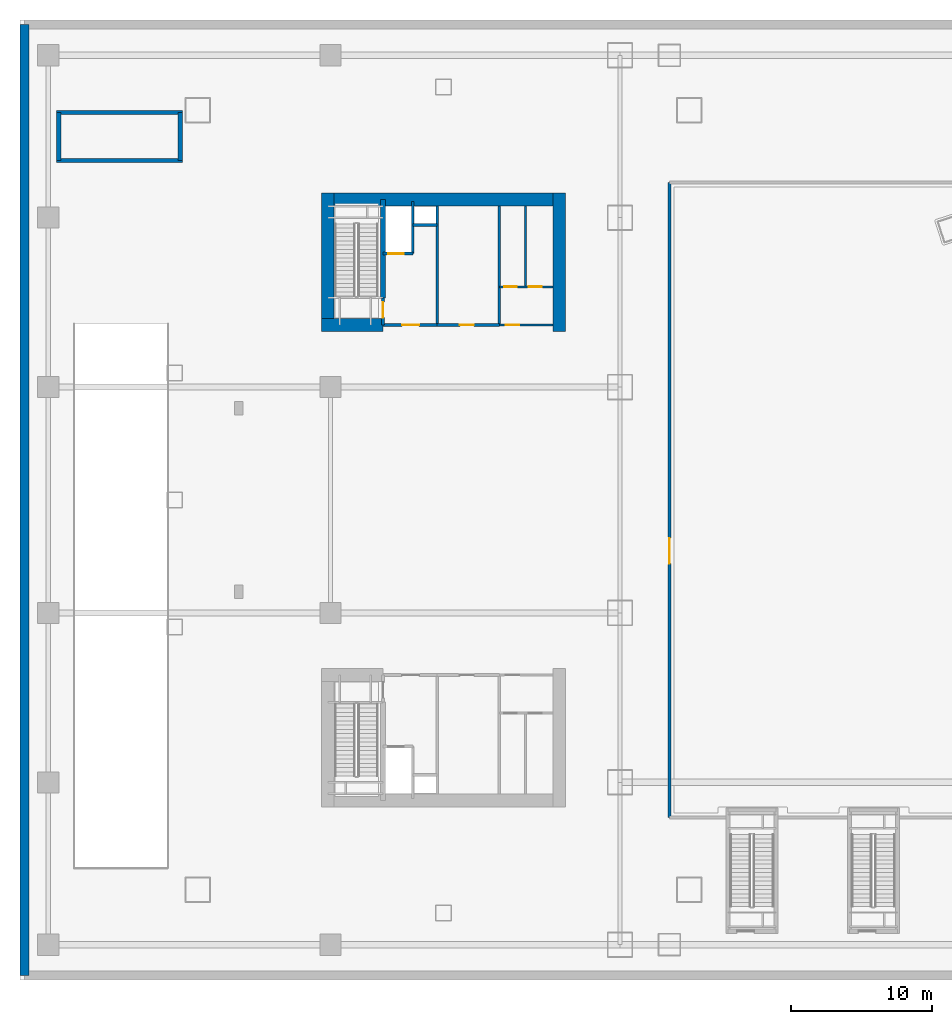
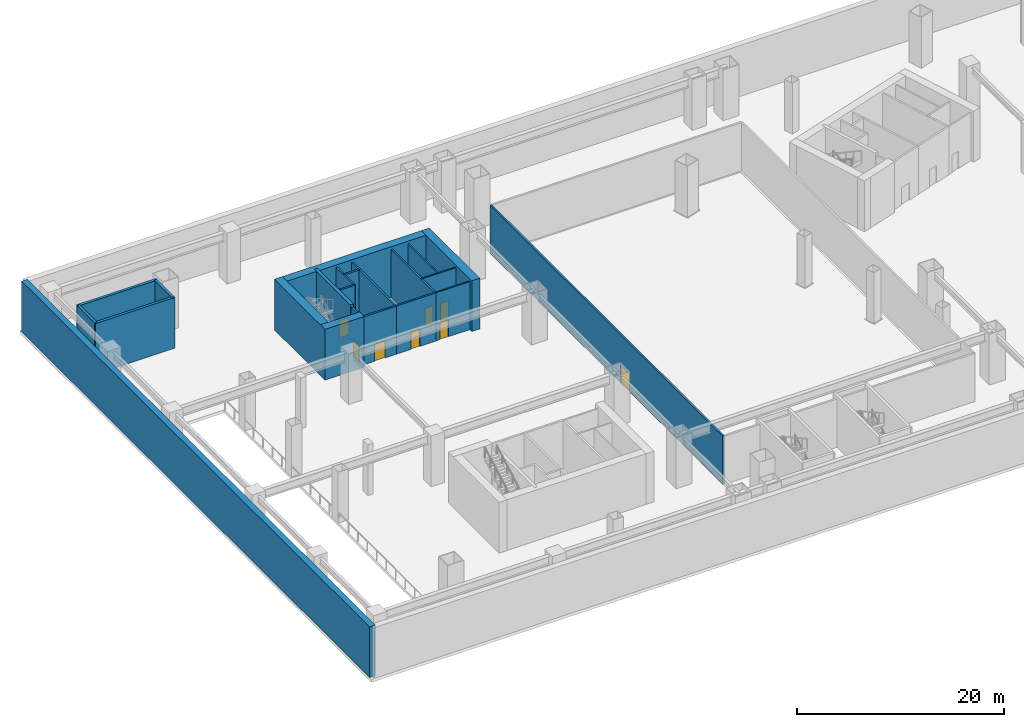
# One storey, part 8 of 20: 22 walls, 8 doors, 8 openings.
"""IFC4 building model written with IfcOpenShell, lengths in metres."""

from ifc_helpers import new_model, si_unit, direction, frame, frame_2d, origin, place, context, subcontext, project, spatial, rectangle, extrude, material, layer, layer_set, type_object, element, fill, save


model = new_model("IFC4")

# Units and contexts
model_context = context("Model", 3, precision=1e-05, world=origin(), true_north=direction((0.0, 1.0)))
body_context = subcontext(model_context, "Body", "Model", "MODEL_VIEW")
ifc_project = project(units=[si_unit("LENGTHUNIT", "METRE"), si_unit("AREAUNIT", "SQUARE_METRE"), si_unit("VOLUMEUNIT", "CUBIC_METRE"), si_unit("PLANEANGLEUNIT", "RADIAN"), si_unit("MASSUNIT", "GRAM", prefix="KILO")], contexts=[model_context])

# Site, building, storey
site_placement = place(None, origin())
site = spatial("IfcSite", under=ifc_project, at=site_placement, CompositionType="ELEMENT")
building_placement = place(site_placement, origin())
building = spatial("IfcBuilding", under=site, at=building_placement, Name="Qiaolan Cultural Towers", CompositionType="ELEMENT")
storey_placement = place(building_placement, frame((0.0, 0.0, -6.0)))
storey = spatial("IfcBuildingStorey", under=building, at=storey_placement, Name="B1", CompositionType="ELEMENT", Elevation=-6.0)

# Walls
ifc_material_1 = material(Name="Concrete C50", Category="concrete")
ifc_layer_1 = layer(ifc_material_1, 0.35009765625)
ifc_layer_set_1 = layer_set([ifc_layer_1], Name="Concrete C50")
wall_type_1 = type_object("IfcWallType", Name="WL-CORE-350", PredefinedType="SHEAR", material=ifc_layer_set_1)
wall_1_placement = place(storey_placement, frame((25.719970703125, 48.300048828125, 0.0), z_axis=(0.0, 0.0, 1.0), x_axis=(0.0, 1.0, 0.0)))
element("IfcWall", 1, at=wall_1_placement, inside=storey, type_object=wall_type_1, Name="B1 T1-CN Stair Core Dividing Web", PredefinedType="SHEAR", context=body_context, shape_type="SweptSolid", body=[
    extrude(rectangle(XDim=6.97998046875, YDim=0.35009765625, at=frame_2d((3.489990234375, 0.0))), origin(), (0.0, 0.0, 1.0), 6.0),
])
for number, where, z_axis, x_axis, name in (
    (2, (2.60009765625, 58.050048828125, 0.0), (0.0, 0.0, 1.0), (1.0, 0.0, 0.0), "B1 STP1 Stair Shaft Wall S"),
    (3, (2.60009765625, 61.449951171875, 0.0), (0.0, 0.0, 1.0), (1.0, 0.0, 0.0), "B1 STP1 Stair Shaft Wall N"),
):
    element("IfcWall", number, at=place(storey_placement, frame(where, z_axis=z_axis, x_axis=x_axis)), inside=storey, type_object=wall_type_1, Name=name, PredefinedType="SHEAR", context=body_context, shape_type="SweptSolid", body=[
        extrude(rectangle(XDim=8.89990234375, YDim=0.300048828125, at=frame_2d((4.449951171875, 0.0))), origin(), (0.0, 0.0, 1.0), 6.0),
    ])
for number, where, z_axis, x_axis, name in (
    (4, (11.35009765625, 58.050048828125, 0.0), (0.0, 0.0, 1.0), (0.0, 1.0, 0.0), "B1 STP1 Stair Shaft Wall E"),
    (5, (2.75, 58.050048828125, 0.0), (0.0, 0.0, 1.0), (0.0, 1.0, 0.0), "B1 STP1 Stair Shaft Wall W"),
):
    element("IfcWall", number, at=place(storey_placement, frame(where, z_axis=z_axis, x_axis=x_axis)), inside=storey, type_object=wall_type_1, Name=name, PredefinedType="SHEAR", context=body_context, shape_type="SweptSolid", body=[
        extrude(rectangle(XDim=3.39990234375, YDim=0.300048828125, at=frame_2d((1.699951171875, 0.0))), origin(), (0.0, 0.0, 1.0), 6.0),
    ])
ifc_material_2 = material(Name="Concrete C60", Category="concrete")
ifc_layer_2 = layer(ifc_material_2, 0.89990234375)
ifc_layer_set_2 = layer_set([ifc_layer_2], Name="Concrete C60")
wall_type_2 = type_object("IfcWallType", Name="WL-CORE-900", PredefinedType="SHEAR", material=ifc_layer_set_2)
wall_2_placement = place(storey_placement, frame((21.35009765625, 55.280029296875, 0.0), z_axis=(0.0, 0.0, 1.0), x_axis=(1.0, 0.0, 0.0)))
element("IfcWall", 6, at=wall_2_placement, inside=storey, type_object=wall_type_2, Name="B1 T1-CN Outer Core Shear Wall", PredefinedType="SHEAR", context=body_context, shape_type="SweptSolid", body=[
    extrude(rectangle(XDim=17.2998046875, YDim=0.89990234375, at=frame_2d((8.64990234375, 0.0))), origin(), (0.0, 0.0, 1.0), 6.0),
])
for number, where, z_axis, x_axis, name in (
    (7, (21.800048828125, 45.949951171875, 0.0), (0.0, 0.0, 1.0), (0.0, 1.0, 0.0), "B1 T1-CN West Core Shear Wall"),
    (8, (38.199951171875, 45.949951171875, 0.0), (0.0, 0.0, 1.0), (0.0, 1.0, 0.0), "B1 T1-CN East Core Shear Wall"),
):
    element("IfcWall", number, at=place(storey_placement, frame(where, z_axis=z_axis, x_axis=x_axis)), inside=storey, type_object=wall_type_2, Name=name, PredefinedType="SHEAR", context=body_context, shape_type="SweptSolid", body=[
        extrude(rectangle(XDim=9.780029296875, YDim=0.89990234375, at=frame_2d((4.89013671875, 0.0))), origin(), (0.0, 0.0, 1.0), 6.0),
    ])
wall_3_placement = place(storey_placement, frame((21.35009765625, 46.39990234375, 0.0), z_axis=(0.0, 0.0, 1.0), x_axis=(1.0, 0.0, 0.0)))
element("IfcWall", 9, at=wall_3_placement, inside=storey, type_object=wall_type_2, Name="B1 T1-CN Stair Front Shear Wall", PredefinedType="SHEAR", context=body_context, shape_type="SweptSolid", body=[
    extrude(rectangle(XDim=4.369873046875, YDim=0.89990234375, at=frame_2d((2.18505859375, 0.0))), origin(), (0.0, 0.0, 1.0), 6.0),
])

# Wall, opening, door
ifc_material_3 = material(Name="Concrete C35 Fire Wall", Category="concrete")
ifc_layer_3 = layer(ifc_material_3, 0.199951171875)
ifc_layer_set_3 = layer_set([ifc_layer_3], Name="Concrete C35 Fire Wall")
wall_type_3 = type_object("IfcWallType", Name="WL-FIRE-200", PredefinedType="PARTITIONING", material=ifc_layer_set_3)
wall_4_placement = place(storey_placement, frame((25.719970703125, 46.39990234375, 0.0), z_axis=(0.0, 0.0, 1.0), x_axis=(0.0, 1.0, 0.0)))
wall_4 = element("IfcWall", 10, at=wall_4_placement, inside=storey, type_object=wall_type_3, Name="B1 T1-CN Smokeproof Stair Entry Wall", PredefinedType="PARTITIONING", context=body_context, shape_type="SweptSolid", body=[
    extrude(rectangle(XDim=1.900146484375, YDim=0.199951171875, at=frame_2d((0.9501953125, 0.0))), origin(), (0.0, 0.0, 1.0), 5.68505859375),
])
opening_1_placement = place(wall_4_placement, frame((0.52001953125, 0.0, 0.0)))
opening_1 = element("IfcOpeningElement", 11, at=opening_1_placement, cuts=wall_4, Name="Opening FD-04", PredefinedType="OPENING", context=body_context, shape_type="SweptSolid", body=[
    extrude(rectangle(XDim=1.10009765625, YDim=2.050048828125, at=frame_2d((0.550048828125, 1.02490234375))), frame((0.0, 0.10986328125, 0.0), z_axis=(0.0, -1.0, 0.0), x_axis=(1.0, 0.0, 0.0)), (0.0, 0.0, 1.0), 0.219970703125),
])
ifc_material_4 = material(Name="Galvanized Steel Command Fire Door", Category="steel")
door_type_1 = type_object("IfcDoorType", Name="DR-FD90-1100", OperationType="NOTDEFINED", PredefinedType="DOOR", material=ifc_material_4)
door_1_placement = place(opening_1_placement, origin())
door_1 = element("IfcDoor", 12, at=door_1_placement, inside=storey, type_object=door_type_1, Name="B1 ST-W2 Smokeproof Stair Fire Door", OperationType="SINGLE_SWING_LEFT", OverallHeight=2.050048828125, OverallWidth=1.10009765625, PredefinedType="DOOR", context=body_context, shape_type="SweptSolid", body=[
    extrude(rectangle(XDim=1.10009765625, YDim=2.050048828125, at=frame_2d((0.550048828125, 1.02490234375))), frame((0.0, 0.02490234375, 0.0), z_axis=(0.0, -1.0, 0.0), x_axis=(1.0, 0.0, 0.0)), (0.0, 0.0, 1.0), 0.050048828125),
])
fill(opening_1, door_1)

# Wall
wall_5_placement = place(storey_placement, frame((29.550048828125, 46.39990234375, 0.0), z_axis=(0.0, 0.0, 1.0), x_axis=(0.0, 1.0, 0.0)))
element("IfcWall", 13, at=wall_5_placement, inside=storey, type_object=wall_type_3, Name="B1 T1-CN Firefighting Zone Wall", PredefinedType="PARTITIONING", context=body_context, shape_type="SweptSolid", body=[
    extrude(rectangle(XDim=8.43017578125, YDim=0.199951171875, at=frame_2d((4.215087890625, 0.0))), origin(), (0.0, 0.0, 1.0), 5.68505859375),
])

# Wall, opening, door
wall_6_placement = place(storey_placement, frame((25.719970703125, 46.39990234375, 0.0), z_axis=(0.0, 0.0, 1.0), x_axis=(1.0, 0.0, 0.0)))
wall_6 = element("IfcWall", 14, at=wall_6_placement, inside=storey, type_object=wall_type_3, Name="B1 T1-CN Firefighting Lobby Front Wall", PredefinedType="PARTITIONING", context=body_context, shape_type="SweptSolid", body=[
    extrude(rectangle(XDim=3.830078125, YDim=0.199951171875, at=frame_2d((1.9150390625, 0.0))), origin(), (0.0, 0.0, 1.0), 5.68505859375),
])
opening_2_placement = place(wall_6_placement, frame((1.35009765625, 0.0, 0.0)))
opening_2 = element("IfcOpeningElement", 15, at=opening_2_placement, cuts=wall_6, Name="Opening FD-03", PredefinedType="OPENING", context=body_context, shape_type="SweptSolid", body=[
    extrude(rectangle(XDim=1.199951171875, YDim=2.050048828125, at=frame_2d((0.60009765625, 1.02490234375))), frame((0.0, 0.10986328125, 0.0), z_axis=(0.0, -1.0, 0.0), x_axis=(1.0, 0.0, 0.0)), (0.0, 0.0, 1.0), 0.219970703125),
])
ifc_material_5 = material(Name="Galvanized Steel Smokeproof Lobby Fire Door", Category="steel")
door_type_2 = type_object("IfcDoorType", Name="DR-FD90-1200", OperationType="NOTDEFINED", PredefinedType="DOOR", material=ifc_material_5)
door_2_placement = place(opening_2_placement, origin())
door_2 = element("IfcDoor", 16, at=door_2_placement, inside=storey, type_object=door_type_2, Name="B1 FFL-W2 Firefighting Lobby Fire Door", OperationType="SINGLE_SWING_LEFT", OverallHeight=2.050048828125, OverallWidth=1.199951171875, PredefinedType="DOOR", context=body_context, shape_type="SweptSolid", body=[
    extrude(rectangle(XDim=1.199951171875, YDim=2.050048828125, at=frame_2d((0.60009765625, 1.02490234375))), frame((0.0, 0.02490234375, 0.0), z_axis=(0.0, -1.0, 0.0), x_axis=(1.0, 0.0, 0.0)), (0.0, 0.0, 1.0), 0.050048828125),
])
fill(opening_2, door_2)

wall_7_placement = place(storey_placement, frame((25.719970703125, 51.449951171875, 0.0), z_axis=(0.0, 0.0, 1.0), x_axis=(1.0, 0.0, 0.0)))
wall_7 = element("IfcWall", 17, at=wall_7_placement, inside=storey, type_object=wall_type_3, Name="B1 T1-CN Firefighting Shaft Front Wall", PredefinedType="PARTITIONING", context=body_context, shape_type="SweptSolid", body=[
    extrude(rectangle(XDim=2.10009765625, YDim=0.199951171875, at=frame_2d((1.050048828125, 0.0))), origin(), (0.0, 0.0, 1.0), 5.68505859375),
])
opening_3_placement = place(wall_7_placement, frame((0.35009765625, 0.0, 0.0)))
opening_3 = element("IfcOpeningElement", 18, at=opening_3_placement, cuts=wall_7, Name="Opening LD-01", PredefinedType="OPENING", context=body_context, shape_type="SweptSolid", body=[
    extrude(rectangle(XDim=1.10009765625, YDim=2.050048828125, at=frame_2d((0.550048828125, 1.02490234375))), frame((0.0, 0.10986328125, 0.0), z_axis=(0.0, -1.0, 0.0), x_axis=(1.0, 0.0, 0.0)), (0.0, 0.0, 1.0), 0.219970703125),
])
ifc_material_6 = material(Name="Brushed Stainless Steel S30408 Centre-Parting Lift Landing Door", Category="steel")
door_type_3 = type_object("IfcDoorType", Name="DR-LIFT-1100", OperationType="NOTDEFINED", PredefinedType="DOOR", material=ifc_material_6)
door_3_placement = place(opening_3_placement, origin())
door_3 = element("IfcDoor", 19, at=door_3_placement, inside=storey, type_object=door_type_3, Name="B1 FFL-W2 Firefighting Lift Landing Door", OperationType="DOUBLE_DOOR_SLIDING", OverallHeight=2.050048828125, OverallWidth=1.10009765625, PredefinedType="DOOR", context=body_context, shape_type="SweptSolid", body=[
    extrude(rectangle(XDim=1.10009765625, YDim=2.050048828125, at=frame_2d((0.550048828125, 1.02490234375))), frame((0.0, 0.02490234375, 0.0), z_axis=(0.0, -1.0, 0.0), x_axis=(1.0, 0.0, 0.0)), (0.0, 0.0, 1.0), 0.050048828125),
])
fill(opening_3, door_3)

# Walls
wall_8_placement = place(storey_placement, frame((27.820068359375, 51.449951171875, 0.0), z_axis=(0.0, 0.0, 1.0), x_axis=(0.0, 1.0, 0.0)))
element("IfcWall", 20, at=wall_8_placement, inside=storey, type_object=wall_type_3, Name="B1 T1-CN Firefighting Hoistway East Wall", PredefinedType="PARTITIONING", context=body_context, shape_type="SweptSolid", body=[
    extrude(rectangle(XDim=3.699951171875, YDim=0.199951171875, at=frame_2d((1.85009765625, 0.0))), origin(), (0.0, 0.0, 1.0), 5.68505859375),
])
wall_9_placement = place(storey_placement, frame((27.820068359375, 53.47998046875, 0.0), z_axis=(0.0, 0.0, 1.0), x_axis=(1.0, 0.0, 0.0)))
element("IfcWall", 21, at=wall_9_placement, inside=storey, type_object=wall_type_3, Name="B1 T1-CN Pressurization Shaft Front Wall", PredefinedType="PARTITIONING", context=body_context, shape_type="SweptSolid", body=[
    extrude(rectangle(XDim=1.72998046875, YDim=0.199951171875, at=frame_2d((0.864990234375, 0.0))), origin(), (0.0, 0.0, 1.0), 5.68505859375),
])
wall_10_placement = place(storey_placement, frame((33.949951171875, 46.39990234375, 0.0), z_axis=(0.0, 0.0, 1.0), x_axis=(0.0, 1.0, 0.0)))
element("IfcWall", 22, at=wall_10_placement, inside=storey, type_object=wall_type_3, Name="B1 T1-CN Lift Core East Wall", PredefinedType="PARTITIONING", context=body_context, shape_type="SweptSolid", body=[
    extrude(rectangle(XDim=8.43017578125, YDim=0.199951171875, at=frame_2d((4.215087890625, 0.0))), origin(), (0.0, 0.0, 1.0), 5.68505859375),
])

# Wall, opening, door
wall_11_placement = place(storey_placement, frame((29.550048828125, 46.39990234375, 0.0), z_axis=(0.0, 0.0, 1.0), x_axis=(1.0, 0.0, 0.0)))
wall_11 = element("IfcWall", 23, at=wall_11_placement, inside=storey, type_object=wall_type_3, Name="B1 T1-CN Basement Core Store Front Wall", PredefinedType="PARTITIONING", context=body_context, shape_type="SweptSolid", body=[
    extrude(rectangle(XDim=4.39990234375, YDim=0.199951171875, at=frame_2d((2.199951171875, 0.0))), origin(), (0.0, 0.0, 1.0), 5.68505859375),
])
opening_4_placement = place(wall_11_placement, frame((1.60009765625, 0.0, 0.0)))
opening_4 = element("IfcOpeningElement", 24, at=opening_4_placement, cuts=wall_11, Name="Opening FD-07", PredefinedType="OPENING", context=body_context, shape_type="SweptSolid", body=[
    extrude(rectangle(XDim=1.0, YDim=2.050048828125, at=frame_2d((0.5, 1.02490234375))), frame((0.0, 0.10986328125, 0.0), z_axis=(0.0, -1.0, 0.0), x_axis=(1.0, 0.0, 0.0)), (0.0, 0.0, 1.0), 0.219970703125),
])
ifc_material_7 = material(Name="Painted Steel Riser Fire Door", Category="steel")
door_type_4 = type_object("IfcDoorType", Name="DR-FD60-1000", OperationType="NOTDEFINED", PredefinedType="DOOR", material=ifc_material_7)
door_4_placement = place(opening_4_placement, origin())
door_4 = element("IfcDoor", 25, at=door_4_placement, inside=storey, type_object=door_type_4, Name="B1 Core Maintenance Store Door", OperationType="SINGLE_SWING_LEFT", OverallHeight=2.050048828125, OverallWidth=1.0, PredefinedType="DOOR", context=body_context, shape_type="SweptSolid", body=[
    extrude(rectangle(XDim=1.0, YDim=2.050048828125, at=frame_2d((0.5, 1.02490234375))), frame((0.0, 0.02490234375, 0.0), z_axis=(0.0, -1.0, 0.0), x_axis=(1.0, 0.0, 0.0)), (0.0, 0.0, 1.0), 0.050048828125),
])
fill(opening_4, door_4)

wall_12_placement = place(storey_placement, frame((46.0, 11.5, 0.0), z_axis=(0.0, 0.0, 1.0), x_axis=(0.0, 1.0, 0.0)))
wall_12 = element("IfcWall", 26, at=wall_12_placement, inside=storey, type_object=wall_type_3, Name="B1 Podium Partition B1-MCW", PredefinedType="PARTITIONING", context=body_context, shape_type="SweptSolid", body=[
    extrude(rectangle(XDim=45.0, YDim=0.199951171875, at=frame_2d((22.5, 0.0))), origin(), (0.0, 0.0, 1.0), 5.68505859375),
])
opening_5_placement = place(wall_12_placement, frame((18.0, 0.0, 0.0)))
opening_5 = element("IfcOpeningElement", 27, at=opening_5_placement, cuts=wall_12, Name="Opening FD-01", PredefinedType="OPENING", context=body_context, shape_type="SweptSolid", body=[
    extrude(rectangle(XDim=1.800048828125, YDim=2.050048828125, at=frame_2d((0.89990234375, 1.02490234375))), frame((0.0, 0.10986328125, 0.0), z_axis=(0.0, -1.0, 0.0), x_axis=(1.0, 0.0, 0.0)), (0.0, 0.0, 1.0), 0.219970703125),
])
ifc_material_8 = material(Name="Galvanized Steel Acoustic Fire Door", Category="steel")
door_type_5 = type_object("IfcDoorType", Name="DR-FD90-1800", OperationType="NOTDEFINED", PredefinedType="DOOR", material=ifc_material_8)
door_5_placement = place(opening_5_placement, origin())
door_5 = element("IfcDoor", 28, at=door_5_placement, inside=storey, type_object=door_type_5, Name="B1 Metro West Concourse Gate", OperationType="SINGLE_SWING_LEFT", OverallHeight=2.050048828125, OverallWidth=1.800048828125, PredefinedType="DOOR", context=body_context, shape_type="SweptSolid", body=[
    extrude(rectangle(XDim=1.800048828125, YDim=2.050048828125, at=frame_2d((0.89990234375, 1.02490234375))), frame((0.0, 0.02490234375, 0.0), z_axis=(0.0, -1.0, 0.0), x_axis=(1.0, 0.0, 0.0)), (0.0, 0.0, 1.0), 0.050048828125),
])
fill(opening_5, door_5)

ifc_material_9 = material(Name="Autoclaved Aerated Concrete Block B06", Category="concrete")
ifc_layer_4 = layer(ifc_material_9, 0.14990234375)
ifc_layer_set_4 = layer_set([ifc_layer_4], Name="Autoclaved Aerated Concrete Block B06")
wall_type_4 = type_object("IfcWallType", Name="WL-PART-150", PredefinedType="PARTITIONING", material=ifc_layer_set_4)
wall_13_placement = place(storey_placement, frame((33.949951171875, 46.39990234375, 0.0), z_axis=(0.0, 0.0, 1.0), x_axis=(1.0, 0.0, 0.0)))
wall_13 = element("IfcWall", 29, at=wall_13_placement, inside=storey, type_object=wall_type_4, Name="B1 T1-CN Sanitary Core Front Wall", PredefinedType="PARTITIONING", context=body_context, shape_type="SweptSolid", body=[
    extrude(rectangle(XDim=3.800048828125, YDim=0.14990234375, at=frame_2d((1.89990234375, 0.0))), origin(), (0.0, 0.0, 1.0), 5.68505859375),
])
opening_6_placement = place(wall_13_placement, frame((0.449951171875, 0.0, 0.0)))
opening_6 = element("IfcOpeningElement", 30, at=opening_6_placement, cuts=wall_13, Name="Opening ID-05", PredefinedType="OPENING", context=body_context, shape_type="SweptSolid", body=[
    extrude(rectangle(XDim=0.949951171875, YDim=2.050048828125, at=frame_2d((0.47509765625, 1.02490234375))), frame((0.0, 0.0849609375, 0.0), z_axis=(0.0, -1.0, 0.0), x_axis=(1.0, 0.0, 0.0)), (0.0, 0.0, 1.0), 0.169921875),
])
ifc_material_10 = material(Name="Fire-Rated Laminate Accessible Core Door", Category="timber")
door_type_6 = type_object("IfcDoorType", Name="DR-INT-950", OperationType="NOTDEFINED", PredefinedType="DOOR", material=ifc_material_10)
door_6_placement = place(opening_6_placement, origin())
door_6 = element("IfcDoor", 31, at=door_6_placement, inside=storey, type_object=door_type_6, Name="B1 Sanitary Vestibule Door", OperationType="SINGLE_SWING_LEFT", OverallHeight=2.050048828125, OverallWidth=0.949951171875, PredefinedType="DOOR", context=body_context, shape_type="SweptSolid", body=[
    extrude(rectangle(XDim=0.949951171875, YDim=2.050048828125, at=frame_2d((0.47509765625, 1.02490234375))), frame((0.0, 0.02490234375, 0.0), z_axis=(0.0, -1.0, 0.0), x_axis=(1.0, 0.0, 0.0)), (0.0, 0.0, 1.0), 0.050048828125),
])
fill(opening_6, door_6)

# Wall, openings, doors
wall_14_placement = place(storey_placement, frame((33.949951171875, 49.10009765625, 0.0), z_axis=(0.0, 0.0, 1.0), x_axis=(1.0, 0.0, 0.0)))
wall_14 = element("IfcWall", 32, at=wall_14_placement, inside=storey, type_object=wall_type_4, Name="B1 T1-CN Restroom Vestibule Wall", PredefinedType="PARTITIONING", context=body_context, shape_type="SweptSolid", body=[
    extrude(rectangle(XDim=3.800048828125, YDim=0.14990234375, at=frame_2d((1.89990234375, 0.0))), origin(), (0.0, 0.0, 1.0), 5.68505859375),
])
opening_7_placement = place(wall_14_placement, frame((0.35009765625, 0.0, 0.0)))
opening_7 = element("IfcOpeningElement", 33, at=opening_7_placement, cuts=wall_14, Name="Opening ID-06", PredefinedType="OPENING", context=body_context, shape_type="SweptSolid", body=[
    extrude(rectangle(XDim=0.89990234375, YDim=2.050048828125, at=frame_2d((0.449951171875, 1.02490234375))), frame((0.0, 0.0849609375, 0.0), z_axis=(0.0, -1.0, 0.0), x_axis=(1.0, 0.0, 0.0)), (0.0, 0.0, 1.0), 0.169921875),
])
opening_8_placement = place(wall_14_placement, frame((2.10009765625, 0.0, 0.0)))
opening_8 = element("IfcOpeningElement", 34, at=opening_8_placement, cuts=wall_14, Name="Opening ID-06", PredefinedType="OPENING", context=body_context, shape_type="SweptSolid", body=[
    extrude(rectangle(XDim=0.89990234375, YDim=2.050048828125, at=frame_2d((0.449951171875, 1.02490234375))), frame((0.0, 0.0849609375, 0.0), z_axis=(0.0, -1.0, 0.0), x_axis=(1.0, 0.0, 0.0)), (0.0, 0.0, 1.0), 0.169921875),
])
ifc_material_11 = material(Name="Fire-Rated Laminate Core Service Door", Category="timber")
door_type_7 = type_object("IfcDoorType", Name="DR-INT-900", OperationType="NOTDEFINED", PredefinedType="DOOR", material=ifc_material_11)
door_7_placement = place(opening_7_placement, origin())
door_7 = element("IfcDoor", 35, at=door_7_placement, inside=storey, type_object=door_type_7, Name="B1 Men Restroom Door", OperationType="SINGLE_SWING_LEFT", OverallHeight=2.050048828125, OverallWidth=0.89990234375, PredefinedType="DOOR", context=body_context, shape_type="SweptSolid", body=[
    extrude(rectangle(XDim=0.89990234375, YDim=2.050048828125, at=frame_2d((0.449951171875, 1.02490234375))), frame((0.0, 0.02490234375, 0.0), z_axis=(0.0, -1.0, 0.0), x_axis=(1.0, 0.0, 0.0)), (0.0, 0.0, 1.0), 0.050048828125),
])
fill(opening_7, door_7)
door_8_placement = place(opening_8_placement, origin())
door_8 = element("IfcDoor", 36, at=door_8_placement, inside=storey, type_object=door_type_7, Name="B1 Accessible & Women Restroom Door", OperationType="SINGLE_SWING_RIGHT", OverallHeight=2.050048828125, OverallWidth=0.89990234375, PredefinedType="DOOR", context=body_context, shape_type="SweptSolid", body=[
    extrude(rectangle(XDim=0.89990234375, YDim=2.050048828125, at=frame_2d((0.449951171875, 1.02490234375))), frame((0.0, 0.02490234375, 0.0), z_axis=(0.0, -1.0, 0.0), x_axis=(1.0, 0.0, 0.0)), (0.0, 0.0, 1.0), 0.050048828125),
])
fill(opening_8, door_8)

# Walls
wall_15_placement = place(storey_placement, frame((35.800048828125, 49.10009765625, 0.0), z_axis=(0.0, 0.0, 1.0), x_axis=(0.0, 1.0, 0.0)))
element("IfcWall", 37, at=wall_15_placement, inside=storey, type_object=wall_type_4, Name="B1 T1-CN Restroom Divider Wall", PredefinedType="PARTITIONING", context=body_context, shape_type="SweptSolid", body=[
    extrude(rectangle(XDim=5.72998046875, YDim=0.14990234375, at=frame_2d((2.864990234375, 0.0))), origin(), (0.0, 0.0, 1.0), 5.68505859375),
])
ifc_material_12 = material(Name="Concrete C50", Category="concrete")
ifc_layer_5 = layer(ifc_material_12, 0.64990234375)
ifc_layer_set_5 = layer_set([ifc_layer_5], Name="Concrete C50")
wall_type_5 = type_object("IfcWallType", Name="WL-RET-650", PredefinedType="SHEAR", material=ifc_layer_set_5)
wall_16_placement = place(storey_placement, frame((0.324951171875, 0.324951171875, 0.0), z_axis=(0.0, 0.0, 1.0), x_axis=(0.0, 1.0, 0.0)))
element("IfcWall", 38, at=wall_16_placement, inside=storey, type_object=wall_type_5, Name="B1 Basement Retaining Wall WEST", PredefinedType="SHEAR", context=body_context, shape_type="SweptSolid", body=[
    extrude(rectangle(XDim=67.35009765625, YDim=0.64990234375, at=frame_2d((33.675048828125, 0.0))), origin(), (0.0, 0.0, 1.0), 6.0),
])

save(model, "model.ifc")
